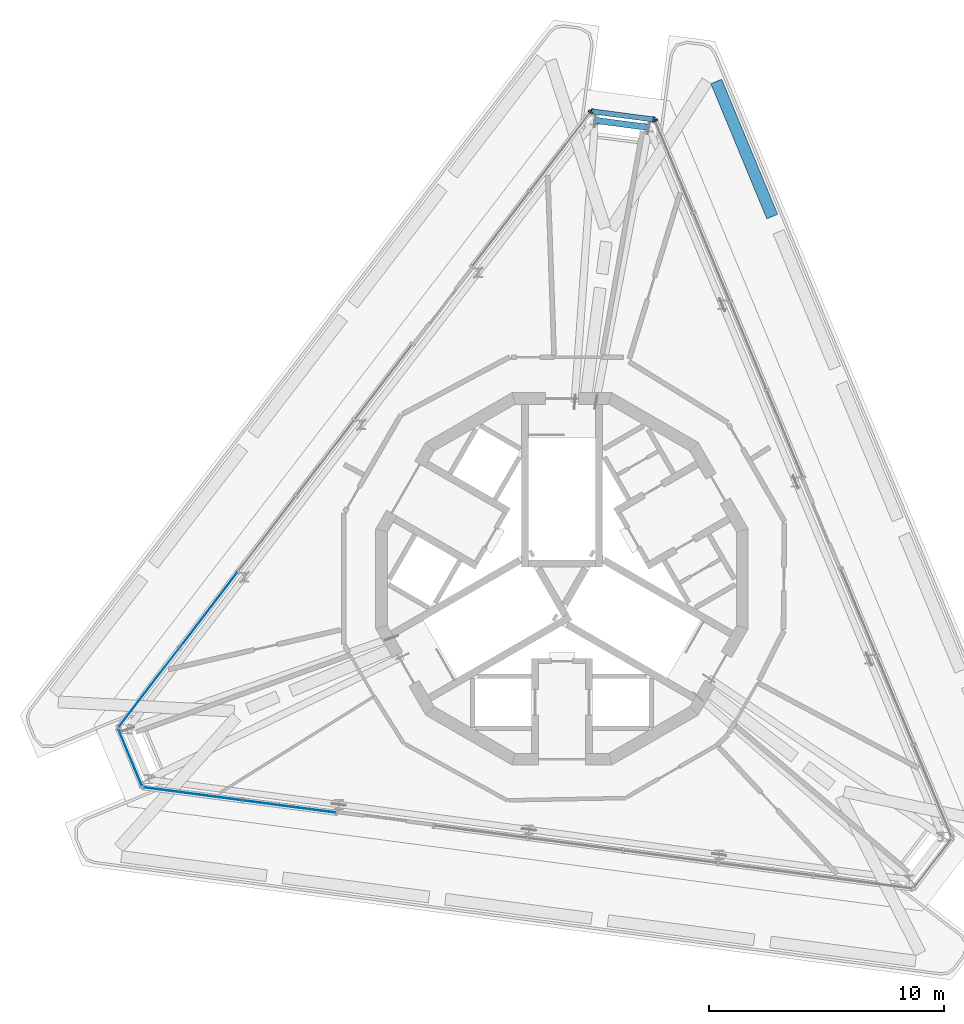
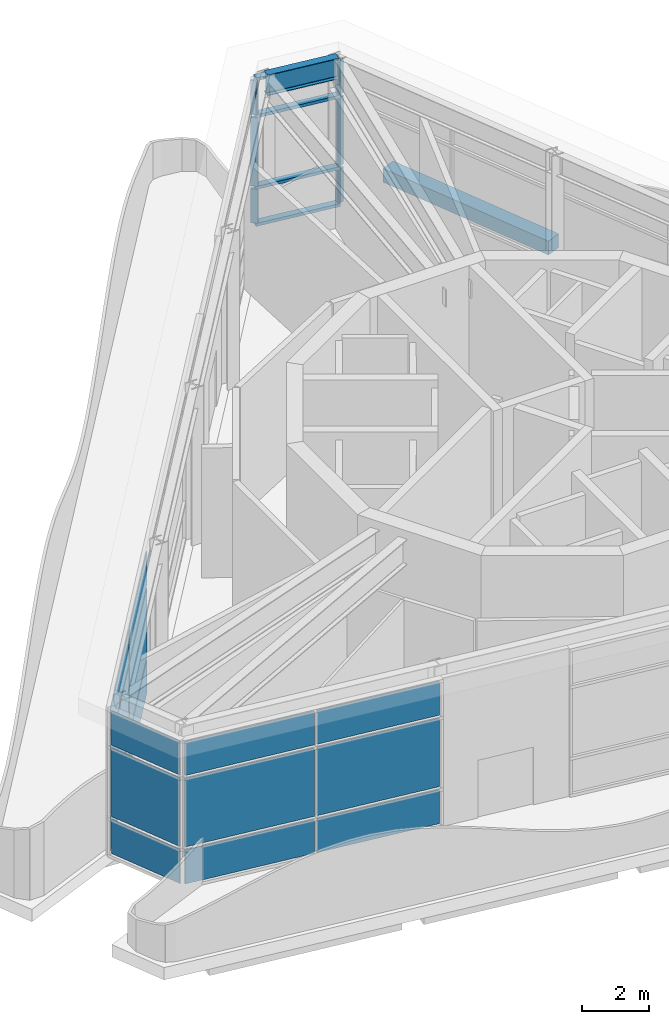
# One storey, part 5 of 10: 15 plates, 14 members, 2 beams, 6 elements without a shape of their own.
"""IFC4 building model written with IfcOpenShell, lengths in metres."""

from ifc_helpers import new_model, si_unit, direction, frame, origin, origin_2d, place, context, subcontext, project, spatial, rectangle, i_section, extrude, material, layer, layer_set, material_profile, profile_set, type_object, element, aggregate, save


model = new_model("IFC4")

# Units and contexts
model_context = context("Model", 3, precision=1e-05, world=origin(), true_north=direction((0.0, 1.0)))
body_context = subcontext(model_context, "Body", "Model", "MODEL_VIEW")
ifc_project = project(units=[si_unit("LENGTHUNIT", "METRE"), si_unit("AREAUNIT", "SQUARE_METRE"), si_unit("VOLUMEUNIT", "CUBIC_METRE"), si_unit("PLANEANGLEUNIT", "RADIAN"), si_unit("MASSUNIT", "GRAM", prefix="KILO")], contexts=[model_context])

# Site, building, storey
site_placement = place(None, origin())
site = spatial("IfcSite", under=ifc_project, at=site_placement, CompositionType="ELEMENT")
building_placement = place(site_placement, origin())
building = spatial("IfcBuilding", under=site, at=building_placement, Name="Trine Commons Tower", CompositionType="ELEMENT")
storey_placement = place(building_placement, frame((0.0, 0.0, 300.60009765625)))
storey = spatial("IfcBuildingStorey", under=building, at=storey_placement, Name="CROWN", CompositionType="ELEMENT", Elevation=300.60009765625)

# Curtain wall, members
ifc_material_1 = material(Name="Crown drum glazing: anodised aluminium frame with low-emissivity double glazed unit, fritted", Category="aluminium")
ifc_layer_1 = layer(ifc_material_1, 0.219970703125)
ifc_layer_set_1 = layer_set([ifc_layer_1], Name="Crown drum glazing: anodised aluminium frame with low-emissivity double glazed unit, fritted")
curtain_wall_type = type_object("IfcCurtainWallType", Name="Crown drum glazing curtain wall CW6", PredefinedType="NOTDEFINED", material=ifc_layer_set_1)
curtain_wall_1_placement = place(storey_placement, origin())
curtain_wall_1 = element("IfcCurtainWall", 1, at=curtain_wall_1_placement, inside=storey, type_object=curtain_wall_type, Name="Crown drum glazing D3.2", PredefinedType="NOTDEFINED")
ifc_material_2 = material(Name="Anodised aluminium, natural finish", Category="aluminium")
ifc_material_profile_1 = material_profile(ifc_material_2, rectangle(XDim=0.219970703125, YDim=0.080078125, at=origin_2d()), Name="Mullion 80x220")
ifc_profile_set_1 = profile_set([ifc_material_profile_1], Name="Anodised aluminium, natural finish")
member_type_1 = type_object("IfcMemberType", Name="Mullion 80x220, Anodised aluminium, natural finish", PredefinedType="MULLION", material=ifc_profile_set_1)
member_1_placement = place(storey_placement, frame((83.960205078125, 81.9892578125, 0.10986328125), z_axis=(0.0, 0.0, 1.0), x_axis=(-0.923879532511, -0.382683432365, 0.0)))
member_1 = element("IfcMember", 2, at=member_1_placement, type_object=member_type_1, Name="CW6 mullion 5.1", PredefinedType="MULLION", context=body_context, shape_type="SweptSolid", body=[
    extrude(rectangle(XDim=0.219970703125, YDim=0.080078125, at=origin_2d()), origin(), (0.0, 0.0, 1.0), 1.235107421875),
])
member_2_placement = place(storey_placement, frame((83.960205078125, 81.9892578125, 1.454833984375), z_axis=(0.0, 0.0, 1.0), x_axis=(-0.923879532511, -0.382683432365, 0.0)))
member_2 = element("IfcMember", 3, at=member_2_placement, type_object=member_type_1, Name="CW6 mullion 5.2", PredefinedType="MULLION", context=body_context, shape_type="SweptSolid", body=[
    extrude(rectangle(XDim=0.219970703125, YDim=0.080078125, at=origin_2d()), origin(), (0.0, 0.0, 1.0), 2.489990234375),
])
member_3_placement = place(storey_placement, frame((83.960205078125, 81.9892578125, 4.054931640625), z_axis=(0.0, 0.0, 1.0), x_axis=(-0.923879532511, -0.382683432365, 0.0)))
member_3 = element("IfcMember", 4, at=member_3_placement, type_object=member_type_1, Name="CW6 mullion 5.3", PredefinedType="MULLION", context=body_context, shape_type="SweptSolid", body=[
    extrude(rectangle(XDim=0.219970703125, YDim=0.080078125, at=origin_2d()), origin(), (0.0, 0.0, 1.0), 1.23486328125),
])
aggregate(curtain_wall_1, [member_1, member_2, member_3])

curtain_wall_2_placement = place(storey_placement, origin())
curtain_wall_2 = element("IfcCurtainWall", 5, at=curtain_wall_2_placement, inside=storey, type_object=curtain_wall_type, Name="Crown drum glazing D4.1", PredefinedType="NOTDEFINED")
member_4_placement = place(storey_placement, frame((83.9052734375, 82.031494140625, 0.10986328125), z_axis=(0.0, 0.0, 1.0), x_axis=(-0.13052619222, -0.991444861374, 0.0)))
member_4 = element("IfcMember", 6, at=member_4_placement, type_object=member_type_1, Name="CW6 mullion 1.1", PredefinedType="MULLION", context=body_context, shape_type="SweptSolid", body=[
    extrude(rectangle(XDim=0.219970703125, YDim=0.080078125, at=origin_2d()), origin(), (0.0, 0.0, 1.0), 1.235107421875),
])
member_5_placement = place(storey_placement, frame((83.9052734375, 82.031494140625, 1.454833984375), z_axis=(0.0, 0.0, 1.0), x_axis=(-0.13052619222, -0.991444861374, 0.0)))
member_5 = element("IfcMember", 7, at=member_5_placement, type_object=member_type_1, Name="CW6 mullion 1.2", PredefinedType="MULLION", context=body_context, shape_type="SweptSolid", body=[
    extrude(rectangle(XDim=0.219970703125, YDim=0.080078125, at=origin_2d()), origin(), (0.0, 0.0, 1.0), 2.489990234375),
])
member_6_placement = place(storey_placement, frame((83.9052734375, 82.031494140625, 4.054931640625), z_axis=(0.0, 0.0, 1.0), x_axis=(-0.13052619222, -0.991444861374, 0.0)))
member_6 = element("IfcMember", 8, at=member_6_placement, type_object=member_type_1, Name="CW6 mullion 1.3", PredefinedType="MULLION", context=body_context, shape_type="SweptSolid", body=[
    extrude(rectangle(XDim=0.219970703125, YDim=0.080078125, at=origin_2d()), origin(), (0.0, 0.0, 1.0), 1.23486328125),
])
member_7_placement = place(storey_placement, frame((81.282958984375, 82.376708984375, 4.054931640625), z_axis=(0.0, 0.0, 1.0), x_axis=(-0.13052619222, -0.991444861374, 0.0)))
member_7 = element("IfcMember", 9, at=member_7_placement, type_object=member_type_1, Name="CW6 mullion 2.3", PredefinedType="MULLION", context=body_context, shape_type="SweptSolid", body=[
    extrude(rectangle(XDim=0.219970703125, YDim=0.080078125, at=origin_2d()), origin(), (0.0, 0.0, 1.0), 1.23486328125),
])

curtain_wall_3_placement = place(storey_placement, origin())
curtain_wall_3 = element("IfcCurtainWall", 10, at=curtain_wall_3_placement, inside=storey, type_object=curtain_wall_type, Name="Crown drum glazing D5.1", PredefinedType="NOTDEFINED")
member_8_placement = place(storey_placement, frame((81.218994140625, 82.35009765625, 0.10986328125), z_axis=(0.0, 0.0, 1.0), x_axis=(0.793353340291, -0.608761429009, 0.0)))
member_8 = element("IfcMember", 11, at=member_8_placement, type_object=member_type_1, Name="CW6 mullion 1.1", PredefinedType="MULLION", context=body_context, shape_type="SweptSolid", body=[
    extrude(rectangle(XDim=0.219970703125, YDim=0.080078125, at=origin_2d()), origin(), (0.0, 0.0, 1.0), 1.235107421875),
])
member_9_placement = place(storey_placement, frame((81.218994140625, 82.35009765625, 1.454833984375), z_axis=(0.0, 0.0, 1.0), x_axis=(0.793353340291, -0.608761429009, 0.0)))
member_9 = element("IfcMember", 12, at=member_9_placement, type_object=member_type_1, Name="CW6 mullion 1.2", PredefinedType="MULLION", context=body_context, shape_type="SweptSolid", body=[
    extrude(rectangle(XDim=0.219970703125, YDim=0.080078125, at=origin_2d()), origin(), (0.0, 0.0, 1.0), 2.489990234375),
])
member_10_placement = place(storey_placement, frame((81.218994140625, 82.35009765625, 4.054931640625), z_axis=(0.0, 0.0, 1.0), x_axis=(0.793353340291, -0.608761429009, 0.0)))
member_10 = element("IfcMember", 13, at=member_10_placement, type_object=member_type_1, Name="CW6 mullion 1.3", PredefinedType="MULLION", context=body_context, shape_type="SweptSolid", body=[
    extrude(rectangle(XDim=0.219970703125, YDim=0.080078125, at=origin_2d()), origin(), (0.0, 0.0, 1.0), 1.23486328125),
])
aggregate(curtain_wall_3, [member_8, member_9, member_10])

# Beams
ifc_material_3 = material(Name="Concrete C40/50", Category="concrete")
ifc_material_profile_2 = material_profile(ifc_material_3, rectangle(XDim=0.5, YDim=0.5, at=origin_2d()), Name="RC 500x500")
ifc_profile_set_2 = profile_set([ifc_material_profile_2], Name="Concrete C40/50")
beam_type_1 = type_object("IfcBeamType", Name="RC beam 500x500, C40/50", PredefinedType="BEAM", material=ifc_profile_set_2)
beam_1_placement = place(storey_placement, frame((86.561767578125, 83.653076171875, -0.7001953125), z_axis=(0.382686748804, -0.92387815879, 0.0), x_axis=(0.92387815879, 0.382686748804, 0.0)))
element("IfcBeam", 14, at=beam_1_placement, inside=storey, type_object=beam_type_1, Name="Beam EB8-11 CROWN", PredefinedType="BEAM", context=body_context, shape_type="SweptSolid", body=[
    extrude(rectangle(XDim=0.5, YDim=0.5, at=origin_2d()), origin(), (0.0, 0.0, 1.0), 6.22265625),
])
ifc_material_4 = material(Name="Structural steel ASTM A992 Gr50", Category="steel")
ifc_material_profile_3 = material_profile(ifc_material_4, i_section(OverallWidth=0.2666015625, OverallDepth=0.7587890625, WebThickness=0.013916015625, FlangeThickness=0.019287109375, FilletRadius=0.0166015625, at=origin_2d()), Name="W30X108")
ifc_profile_set_3 = profile_set([ifc_material_profile_3], Name="Structural steel ASTM A992 Gr50")
beam_type_2 = type_object("IfcBeamType", Name="Steel beam W30X108, ASTM A992 Gr50", PredefinedType="BEAM", material=ifc_profile_set_3)
beam_2_placement = place(storey_placement, frame((81.40234375, 81.997802734375, 5.320556640625), z_axis=(0.991453575846, -0.130459982149, 0.0), x_axis=(0.130459982149, 0.991453575846, 0.0)))
element("IfcBeam", 15, at=beam_2_placement, inside=storey, type_object=beam_type_2, Name="Crown beam CR-06", PredefinedType="BEAM", context=body_context, shape_type="SweptSolid", body=[
    extrude(i_section(OverallWidth=0.2666015625, OverallDepth=0.7587890625, WebThickness=0.013916015625, FlangeThickness=0.019287109375, FilletRadius=0.0166015625, at=origin_2d()), origin(), (0.0, 0.0, 1.0), 2.309326171875),
])

# Member
ifc_material_profile_4 = material_profile(ifc_material_2, rectangle(XDim=0.219970703125, YDim=0.110107421875, at=origin_2d()), Name="Transom 110x220")
ifc_profile_set_4 = profile_set([ifc_material_profile_4], Name="Anodised aluminium, natural finish")
member_type_2 = type_object("IfcMemberType", Name="Transom 110x220, Anodised aluminium, natural finish", PredefinedType="USERDEFINED", material=ifc_profile_set_4)
member_11_placement = place(storey_placement, frame((83.945068359375, 82.0263671875, 0.054931640625), z_axis=(-0.991444840399, 0.130526351537, 0.0), x_axis=(-0.130526351537, -0.991444840399, 0.0)))
member_11 = element("IfcMember", 16, at=member_11_placement, type_object=member_type_2, Name="CW6 transom T00", ObjectType="TRANSOM", PredefinedType="USERDEFINED", context=body_context, shape_type="SweptSolid", body=[
    extrude(rectangle(XDim=0.219970703125, YDim=0.110107421875, at=origin_2d()), origin(), (0.0, 0.0, 1.0), 2.72509765625),
])

member_12_placement = place(storey_placement, frame((83.945068359375, 82.0263671875, 1.39990234375), z_axis=(-0.991444840399, 0.130526351537, 0.0), x_axis=(-0.130526351537, -0.991444840399, 0.0)))
member_12 = element("IfcMember", 17, at=member_12_placement, type_object=member_type_2, Name="CW6 transom T01", ObjectType="TRANSOM", PredefinedType="USERDEFINED", context=body_context, shape_type="SweptSolid", body=[
    extrude(rectangle(XDim=0.219970703125, YDim=0.110107421875, at=origin_2d()), origin(), (0.0, 0.0, 1.0), 2.72509765625),
])

member_13_placement = place(storey_placement, frame((83.945068359375, 82.0263671875, 4.0), z_axis=(-0.991444840399, 0.130526351537, 0.0), x_axis=(-0.130526351537, -0.991444840399, 0.0)))
member_13 = element("IfcMember", 18, at=member_13_placement, type_object=member_type_2, Name="CW6 transom T02", ObjectType="TRANSOM", PredefinedType="USERDEFINED", context=body_context, shape_type="SweptSolid", body=[
    extrude(rectangle(XDim=0.219970703125, YDim=0.110107421875, at=origin_2d()), origin(), (0.0, 0.0, 1.0), 2.72509765625),
])

member_14_placement = place(storey_placement, frame((83.945068359375, 82.0263671875, 5.344970703125), z_axis=(-0.991444840399, 0.130526351537, 0.0), x_axis=(-0.130526351537, -0.991444840399, 0.0)))
member_14 = element("IfcMember", 19, at=member_14_placement, type_object=member_type_2, Name="CW6 transom TH00", ObjectType="TRANSOM", PredefinedType="USERDEFINED", context=body_context, shape_type="SweptSolid", body=[
    extrude(rectangle(XDim=0.219970703125, YDim=0.110107421875, at=origin_2d()), origin(), (0.0, 0.0, 1.0), 2.72509765625),
])

aggregate(curtain_wall_2, [member_11, member_12, member_13, member_14, member_4, member_5, member_6, member_7])

# Curtain wall, plates
curtain_wall_4_placement = place(storey_placement, origin())
curtain_wall_4 = element("IfcCurtainWall", 20, at=curtain_wall_4_placement, inside=storey, type_object=curtain_wall_type, Name="Crown drum glazing D1.1", PredefinedType="NOTDEFINED")
ifc_material_5 = material(Name="Low-emissivity double glazed unit, fritted")
ifc_layer_2 = layer(ifc_material_5, 0.028076171875)
ifc_layer_set_2 = layer_set([ifc_layer_2], Name="Low-emissivity double glazed unit, fritted")
plate_type_1 = type_object("IfcPlateType", Name="Double glazed unit 28 mm (crown)", PredefinedType="CURTAIN_PANEL", material=ifc_layer_set_2)
plate_1_placement = place(storey_placement, frame((64.305908203125, 53.353271484375, 1.455078125), z_axis=(0.0, 0.0, 1.0), x_axis=(0.991444861374, -0.13052619222, 0.0)))
plate_1 = element("IfcPlate", 21, at=plate_1_placement, type_object=plate_type_1, Name="CW6 panel 1.2", PredefinedType="CURTAIN_PANEL", context=body_context, shape_type="SweptSolid", body=[
    extrude(rectangle(XDim=4.16845703125, YDim=0.028076171875, at=origin_2d()), origin(), (0.0, 0.0, 1.0), 2.489990234375),
])
plate_2_placement = place(storey_placement, frame((68.414794921875, 52.812255859375, 1.455078125), z_axis=(0.0, 0.0, 1.0), x_axis=(0.991444861374, -0.13052619222, 0.0)))
plate_2 = element("IfcPlate", 22, at=plate_2_placement, type_object=plate_type_1, Name="CW6 panel 2.2", PredefinedType="CURTAIN_PANEL", context=body_context, shape_type="SweptSolid", body=[
    extrude(rectangle(XDim=3.960693359375, YDim=0.028076171875, at=origin_2d()), origin(), (0.0, 0.0, 1.0), 2.489990234375),
])

curtain_wall_5_placement = place(storey_placement, origin())
curtain_wall_5 = element("IfcCurtainWall", 23, at=curtain_wall_5_placement, inside=storey, type_object=curtain_wall_type, Name="Crown drum glazing D5.2", PredefinedType="NOTDEFINED")
plate_3_placement = place(storey_placement, frame((64.969970703125, 61.17431640625, 1.455078125), z_axis=(0.0, 0.0, 1.0), x_axis=(-0.608761429009, -0.793353340291, 0.0)))
plate_3 = element("IfcPlate", 24, at=plate_3_placement, type_object=plate_type_1, Name="CW6 panel 4.2", PredefinedType="CURTAIN_PANEL", context=body_context, shape_type="SweptSolid", body=[
    extrude(rectangle(XDim=4.00048828125, YDim=0.028076171875, at=origin_2d()), origin(), (0.0, 0.0, 1.0), 2.489990234375),
])
plate_4_placement = place(storey_placement, frame((62.434814453125, 57.870361328125, 1.455078125), z_axis=(0.0, 0.0, 1.0), x_axis=(-0.608761429009, -0.793353340291, 0.0)))
plate_4 = element("IfcPlate", 25, at=plate_4_placement, type_object=plate_type_1, Name="CW6 panel 5.2", PredefinedType="CURTAIN_PANEL", context=body_context, shape_type="SweptSolid", body=[
    extrude(rectangle(XDim=4.16845703125, YDim=0.028076171875, at=origin_2d()), origin(), (0.0, 0.0, 1.0), 2.489990234375),
])

# Curtain wall, plate
curtain_wall_6_placement = place(storey_placement, origin())
curtain_wall_6 = element("IfcCurtainWall", 26, at=curtain_wall_6_placement, inside=storey, type_object=curtain_wall_type, Name="Crown drum glazing D6.1", PredefinedType="NOTDEFINED")
plate_5_placement = place(storey_placement, frame((61.638671875, 54.89453125, 1.455078125), z_axis=(0.0, 0.0, 1.0), x_axis=(0.382683432365, -0.923879532511, 0.0)))
plate_5 = element("IfcPlate", 27, at=plate_5_placement, type_object=plate_type_1, Name="CW6 panel 1.2", PredefinedType="CURTAIN_PANEL", context=body_context, shape_type="SweptSolid", body=[
    extrude(rectangle(XDim=2.565185546875, YDim=0.028076171875, at=origin_2d()), origin(), (0.0, 0.0, 1.0), 2.489990234375),
])

# Plate
ifc_material_6 = material(Name="Anodised aluminium louvre blades", Category="aluminium")
ifc_layer_3 = layer(ifc_material_6, 0.10009765625)
ifc_layer_set_3 = layer_set([ifc_layer_3], Name="Anodised aluminium louvre blades")
plate_type_2 = type_object("IfcPlateType", Name="Fixed aluminium louvre panel 100", PredefinedType="CURTAIN_PANEL", material=ifc_layer_set_3)
plate_6_placement = place(storey_placement, frame((64.305908203125, 53.353271484375, 0.10986328125), z_axis=(0.0, 0.0, 1.0), x_axis=(0.991444861374, -0.13052619222, 0.0)))
plate_6 = element("IfcPlate", 28, at=plate_6_placement, type_object=plate_type_2, Name="CW6 panel 1.1", PredefinedType="CURTAIN_PANEL", context=body_context, shape_type="SweptSolid", body=[
    extrude(rectangle(XDim=4.16845703125, YDim=0.028076171875, at=origin_2d()), origin(), (0.0, 0.0, 1.0), 1.235107421875),
])

plate_7_placement = place(storey_placement, frame((64.305908203125, 53.353271484375, 4.0546875), z_axis=(0.0, 0.0, 1.0), x_axis=(0.991444861374, -0.13052619222, 0.0)))
plate_7 = element("IfcPlate", 29, at=plate_7_placement, type_object=plate_type_2, Name="CW6 panel 1.3", PredefinedType="CURTAIN_PANEL", context=body_context, shape_type="SweptSolid", body=[
    extrude(rectangle(XDim=4.16845703125, YDim=0.028076171875, at=origin_2d()), origin(), (0.0, 0.0, 1.0), 1.235107421875),
])

plate_8_placement = place(storey_placement, frame((68.414794921875, 52.812255859375, 0.10986328125), z_axis=(0.0, 0.0, 1.0), x_axis=(0.991444861374, -0.13052619222, 0.0)))
plate_8 = element("IfcPlate", 30, at=plate_8_placement, type_object=plate_type_2, Name="CW6 panel 2.1", PredefinedType="CURTAIN_PANEL", context=body_context, shape_type="SweptSolid", body=[
    extrude(rectangle(XDim=3.960693359375, YDim=0.028076171875, at=origin_2d()), origin(), (0.0, 0.0, 1.0), 1.235107421875),
])

plate_9_placement = place(storey_placement, frame((68.414794921875, 52.812255859375, 4.0546875), z_axis=(0.0, 0.0, 1.0), x_axis=(0.991444861374, -0.13052619222, 0.0)))
plate_9 = element("IfcPlate", 31, at=plate_9_placement, type_object=plate_type_2, Name="CW6 panel 2.3", PredefinedType="CURTAIN_PANEL", context=body_context, shape_type="SweptSolid", body=[
    extrude(rectangle(XDim=3.960693359375, YDim=0.028076171875, at=origin_2d()), origin(), (0.0, 0.0, 1.0), 1.235107421875),
])

aggregate(curtain_wall_4, [plate_6, plate_1, plate_7, plate_8, plate_2, plate_9])

plate_10_placement = place(storey_placement, frame((64.969970703125, 61.17431640625, 0.10986328125), z_axis=(0.0, 0.0, 1.0), x_axis=(-0.608761429009, -0.793353340291, 0.0)))
plate_10 = element("IfcPlate", 32, at=plate_10_placement, type_object=plate_type_2, Name="CW6 panel 4.1", PredefinedType="CURTAIN_PANEL", context=body_context, shape_type="SweptSolid", body=[
    extrude(rectangle(XDim=4.00048828125, YDim=0.028076171875, at=origin_2d()), origin(), (0.0, 0.0, 1.0), 1.235107421875),
])

plate_11_placement = place(storey_placement, frame((64.969970703125, 61.17431640625, 4.0546875), z_axis=(0.0, 0.0, 1.0), x_axis=(-0.608761429009, -0.793353340291, 0.0)))
plate_11 = element("IfcPlate", 33, at=plate_11_placement, type_object=plate_type_2, Name="CW6 panel 4.3", PredefinedType="CURTAIN_PANEL", context=body_context, shape_type="SweptSolid", body=[
    extrude(rectangle(XDim=4.00048828125, YDim=0.028076171875, at=origin_2d()), origin(), (0.0, 0.0, 1.0), 1.235107421875),
])

plate_12_placement = place(storey_placement, frame((62.434814453125, 57.870361328125, 0.10986328125), z_axis=(0.0, 0.0, 1.0), x_axis=(-0.608761429009, -0.793353340291, 0.0)))
plate_12 = element("IfcPlate", 34, at=plate_12_placement, type_object=plate_type_2, Name="CW6 panel 5.1", PredefinedType="CURTAIN_PANEL", context=body_context, shape_type="SweptSolid", body=[
    extrude(rectangle(XDim=4.16845703125, YDim=0.028076171875, at=origin_2d()), origin(), (0.0, 0.0, 1.0), 1.235107421875),
])

plate_13_placement = place(storey_placement, frame((62.434814453125, 57.870361328125, 4.0546875), z_axis=(0.0, 0.0, 1.0), x_axis=(-0.608761429009, -0.793353340291, 0.0)))
plate_13 = element("IfcPlate", 35, at=plate_13_placement, type_object=plate_type_2, Name="CW6 panel 5.3", PredefinedType="CURTAIN_PANEL", context=body_context, shape_type="SweptSolid", body=[
    extrude(rectangle(XDim=4.16845703125, YDim=0.028076171875, at=origin_2d()), origin(), (0.0, 0.0, 1.0), 1.235107421875),
])

aggregate(curtain_wall_5, [plate_10, plate_3, plate_11, plate_12, plate_4, plate_13])

plate_14_placement = place(storey_placement, frame((61.638671875, 54.89453125, 0.10986328125), z_axis=(0.0, 0.0, 1.0), x_axis=(0.382683432365, -0.923879532511, 0.0)))
plate_14 = element("IfcPlate", 36, at=plate_14_placement, type_object=plate_type_2, Name="CW6 panel 1.1", PredefinedType="CURTAIN_PANEL", context=body_context, shape_type="SweptSolid", body=[
    extrude(rectangle(XDim=2.565185546875, YDim=0.028076171875, at=origin_2d()), origin(), (0.0, 0.0, 1.0), 1.235107421875),
])

plate_15_placement = place(storey_placement, frame((61.638671875, 54.89453125, 4.0546875), z_axis=(0.0, 0.0, 1.0), x_axis=(0.382683432365, -0.923879532511, 0.0)))
plate_15 = element("IfcPlate", 37, at=plate_15_placement, type_object=plate_type_2, Name="CW6 panel 1.3", PredefinedType="CURTAIN_PANEL", context=body_context, shape_type="SweptSolid", body=[
    extrude(rectangle(XDim=2.565185546875, YDim=0.028076171875, at=origin_2d()), origin(), (0.0, 0.0, 1.0), 1.235107421875),
])

aggregate(curtain_wall_6, [plate_14, plate_5, plate_15])

save(model, "model.ifc")
